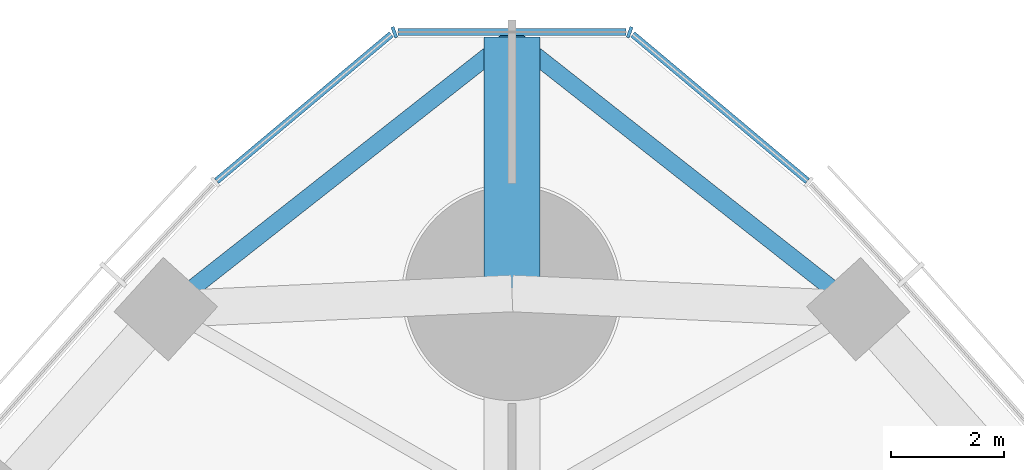
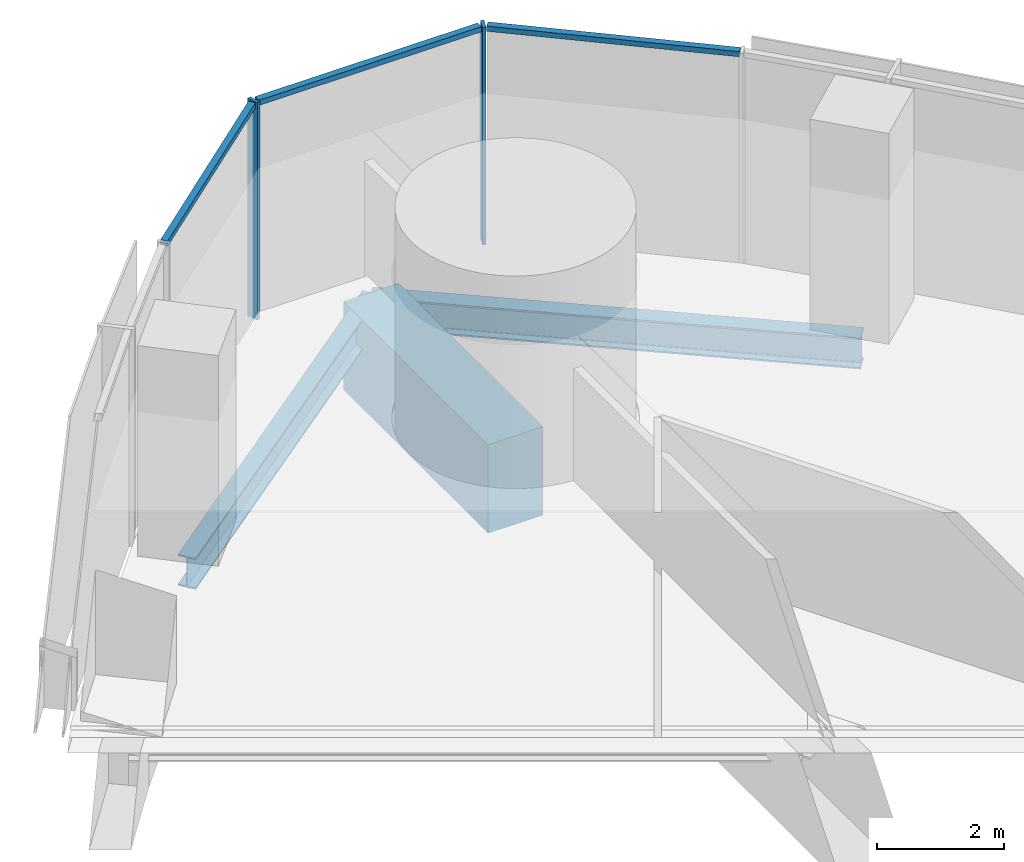
# One storey, part 9 of 19: 5 members, 3 beams, 1 element without a shape of its own.
"""IFC4 building model written with IfcOpenShell, lengths in metres."""

import ifcopenshell
import ifcopenshell.guid

model = None  # the IFC model being written
_history = None  # IfcOwnerHistory: only IFC2X3 demands one
_inside = {}  # id of a spatial element -> (the spatial element, [elements in it])
_under = {}  # id of a project, library or spatial element -> (it, [spatial elements below it])
_declared = {}  # id of a project -> (the project, [libraries it declares])
_typed = {}  # id of a type object -> (the type object, [elements of that type])
_made_of = {}  # id of a material, layer set ... -> (it, [elements and type objects made of it])


def new_model(schema):
    """Start an empty IFC model of exactly this schema.

    Asked for "IFC4X3", IfcOpenShell would pick the latest addendum, in which some entities
    have other attributes; the version numbers below select the first issue.
    IFC2X3 requires an IfcOwnerHistory on every rooted entity: one is made here for all.
    """
    global model, _history
    if schema == "IFC4X3":
        model = ifcopenshell.file(schema_version=(4, 3, 0, 0))
    else:
        model = ifcopenshell.file(schema=schema)
    _inside.clear()
    _under.clear()
    _declared.clear()
    _typed.clear()
    _made_of.clear()
    _history = None
    if model.schema == "IFC2X3":
        org = make("IfcOrganization", Name="unknown")
        user = make(
            "IfcPersonAndOrganization",
            ThePerson=make("IfcPerson", FamilyName="unknown"),
            TheOrganization=org,
        )
        app = make(
            "IfcApplication",
            ApplicationDeveloper=org,
            Version="unknown",
            ApplicationFullName="unknown",
            ApplicationIdentifier="unknown",
        )
        _history = make(
            "IfcOwnerHistory",
            OwningUser=user,
            OwningApplication=app,
            ChangeAction="ADDED",
            CreationDate=0,
        )
    return model


def make(cls, **values):
    """One entity of the class cls with the attributes given. An attribute that is None is left unset."""
    return model.create_entity(
        cls, **{name: value for name, value in values.items() if value is not None}
    )


def rooted(cls, **values):
    """An entity with a GlobalId (a new one), such as an element, a storey or a relation."""
    return make(cls, GlobalId=ifcopenshell.guid.new(), OwnerHistory=_history, **values)


def si_unit(unit_type, name, prefix=None):
    """IfcSIUnit, for example si_unit("LENGTHUNIT", "METRE", prefix="MILLI")."""
    return make("IfcSIUnit", UnitType=unit_type, Prefix=prefix, Name=name)


def assignment(units):
    """IfcUnitAssignment: the units of a project."""
    return None if units is None else make("IfcUnitAssignment", Units=units)


def point(xyz):
    """IfcCartesianPoint."""
    return None if xyz is None else make("IfcCartesianPoint", Coordinates=xyz)


def direction(xyz):
    """IfcDirection."""
    return None if xyz is None else make("IfcDirection", DirectionRatios=xyz)


def frame(location, z_axis=None, x_axis=None):
    """IfcAxis2Placement3D, a coordinate frame: its origin and axes. An axis left out is left unset."""
    return make(
        "IfcAxis2Placement3D",
        Location=point(location),
        Axis=direction(z_axis),
        RefDirection=direction(x_axis),
    )


def frame_2d(location, x_axis=None):
    """IfcAxis2Placement2D, a coordinate frame in the plane: its origin and x axis."""
    return make(
        "IfcAxis2Placement2D", Location=point(location), RefDirection=direction(x_axis)
    )


def origin():
    """The frame at (0, 0, 0) with its axes left unset."""
    return frame((0.0, 0.0, 0.0))


def origin_2d():
    """The frame at (0, 0) in the plane with its x axis left unset."""
    return frame_2d((0.0, 0.0))


def place(relative_to, where):
    """IfcLocalPlacement: puts the frame where relative to a parent placement (None: the world)."""
    return make(
        "IfcLocalPlacement", PlacementRelTo=relative_to, RelativePlacement=where
    )


def context(
    kind, dimensions, precision=None, world=None, true_north=None, identifier=None
):
    """IfcGeometricRepresentationContext, for example the 3D "Model" context."""
    return make(
        "IfcGeometricRepresentationContext",
        ContextIdentifier=identifier,
        ContextType=kind,
        CoordinateSpaceDimension=dimensions,
        Precision=precision,
        WorldCoordinateSystem=world,
        TrueNorth=true_north,
    )


def subcontext(parent, identifier, kind, view, scale=None):
    """IfcGeometricRepresentationSubContext, for example "Body" below "Model"."""
    return make(
        "IfcGeometricRepresentationSubContext",
        ContextIdentifier=identifier,
        ContextType=kind,
        ParentContext=parent,
        TargetScale=scale,
        TargetView=view,
    )


def project(units=None, contexts=None):
    """IfcProject with its units and contexts."""
    return rooted(
        "IfcProject",
        Name="project",
        RepresentationContexts=contexts,
        UnitsInContext=assignment(units),
    )


def spatial(cls, under=None, at=None, **own):
    """A site, building, storey or space (cls), placed at a placement, below another one or the project."""
    s = rooted(cls, ObjectPlacement=at, **own)
    if under is not None:
        _under.setdefault(under.id(), (under, []))[1].append(s)
    return s


def profile(cls, at=None, kind="AREA", **sizes):
    """A parametric profile (cls). Its sizes go by their IFC names, for example OverallWidth=200.0."""
    return make(cls, ProfileType=kind, Position=at, **sizes)


def rectangle(**sizes):
    """IfcRectangleProfileDef."""
    return profile("IfcRectangleProfileDef", **sizes)


def i_section(**sizes):
    """IfcIShapeProfileDef."""
    return profile("IfcIShapeProfileDef", **sizes)


def extrude(swept, where, along, depth):
    """IfcExtrudedAreaSolid: the profile swept, set in the frame where, extruded along a direction by depth."""
    return make(
        "IfcExtrudedAreaSolid",
        SweptArea=swept,
        Position=where,
        ExtrudedDirection=direction(along),
        Depth=depth,
    )


def shape(context_of_items, identifier, shape_type, items):
    """IfcShapeRepresentation: the items that make up one representation, for example the "Body"."""
    return make(
        "IfcShapeRepresentation",
        ContextOfItems=context_of_items,
        RepresentationIdentifier=identifier,
        RepresentationType=shape_type,
        Items=items,
    )


def material(Name=None, Category=None):
    """IfcMaterial."""
    return make("IfcMaterial", Name=Name, Category=Category)


def material_profile(
    of_material, cross_section, Name=None, Category=None, Priority=None
):
    """IfcMaterialProfile: a cross section and its material."""
    return make(
        "IfcMaterialProfile",
        Name=Name,
        Material=of_material,
        Profile=cross_section,
        Priority=Priority,
        Category=Category,
    )


def profile_set(profiles, Name=None, composite=None):
    """IfcMaterialProfileSet."""
    return make(
        "IfcMaterialProfileSet",
        Name=Name,
        MaterialProfiles=profiles,
        CompositeProfile=composite,
    )


def made_of(thing, what):
    """Note that an element or type object is made of a material, layer set ...; save() writes the relation."""
    if what is not None:
        _made_of.setdefault(what.id(), (what, []))[1].append(thing)
    return thing


def type_object(cls, material=None, **own):
    """A type object (cls), such as IfcWallType, which elements share."""
    return made_of(rooted(cls, **own), material)


def element(
    cls,
    number,
    at=None,
    inside=None,
    cuts=None,
    type_object=None,
    material=None,
    context=None,
    identifier="Body",
    shape_type=None,
    held_by="IfcProductDefinitionShape",
    body=None,
    shapes=None,
    **own,
):
    """One element of the class cls, such as IfcWall. Its Tag is "e" and its number.

    at: its placement. inside: the storey or other place that contains it. cuts: it is an
    opening in that element (IfcRelVoidsElement). A single representation is given by context,
    identifier, shape_type and body (its items); several are given by shapes. held_by: the class
    of the entity that holds the representations. save() writes the other relations.
    """
    e = rooted(cls, Tag="e%d" % number, ObjectPlacement=at, **own)
    if body is not None:
        shapes = [shape(context, identifier, shape_type, body)]
    if shapes is not None:
        e.Representation = make(held_by, Representations=shapes)
    if inside is not None:
        _inside.setdefault(inside.id(), (inside, []))[1].append(e)
    if cuts is not None:
        rooted(
            "IfcRelVoidsElement", RelatingBuildingElement=cuts, RelatedOpeningElement=e
        )
    if type_object is not None:
        _typed.setdefault(type_object.id(), (type_object, []))[1].append(e)
    return made_of(e, material)


def aggregate(whole, parts):
    """IfcRelAggregates: a whole, such as a stair, and the parts it consists of."""
    return rooted("IfcRelAggregates", RelatingObject=whole, RelatedObjects=parts)


def save(model, path):
    """Write the relations noted so far, then the file.

    IfcRelAggregates (storeys below a building ...), IfcRelContainedInSpatialStructure (elements
    in a storey), IfcRelDefinesByType, IfcRelAssociatesMaterial and IfcRelDeclares: one each for
    every whole, place, type object, material and project.
    """
    for whole, parts in _under.values():
        aggregate(whole, parts)
    for where, things in _inside.values():
        rooted(
            "IfcRelContainedInSpatialStructure",
            RelatedElements=things,
            RelatingStructure=where,
        )
    for kind, things in _typed.values():
        rooted("IfcRelDefinesByType", RelatedObjects=things, RelatingType=kind)
    for what, things in _made_of.values():
        rooted("IfcRelAssociatesMaterial", RelatedObjects=things, RelatingMaterial=what)
    for by, libraries in _declared.values():
        rooted("IfcRelDeclares", RelatingContext=by, RelatedDefinitions=libraries)
    model.write(path)


model = new_model("IFC4")

# Units and contexts
model_context = context("Model", 3, precision=1e-05, world=origin(), true_north=direction((0.0, 1.0)))
body_context = subcontext(model_context, "Body", "Model", "MODEL_VIEW")
ifc_project = project(units=[si_unit("LENGTHUNIT", "METRE"), si_unit("AREAUNIT", "SQUARE_METRE"), si_unit("VOLUMEUNIT", "CUBIC_METRE"), si_unit("PLANEANGLEUNIT", "RADIAN"), si_unit("MASSUNIT", "GRAM", prefix="KILO")], contexts=[model_context])

# Site, building, storey
site_placement = place(None, origin())
site = spatial("IfcSite", under=ifc_project, at=site_placement, CompositionType="ELEMENT")
building_placement = place(site_placement, origin())
building = spatial("IfcBuilding", under=site, at=building_placement, Name="Trefoil Bronze Tower", CompositionType="ELEMENT")
storey_placement = place(building_placement, frame((0.0, 0.0, 119.89990234375)))
storey = spatial("IfcBuildingStorey", under=building, at=storey_placement, Name="L27", CompositionType="ELEMENT", Elevation=119.89990234375)

# Curtain wall, members
ifc_material_1 = material(Name="Tinted solar-control glass", Category="glass")
curtain_wall_type = type_object("IfcCurtainWallType", Name="Bronze rounded corner curtain wall", PredefinedType="USERDEFINED", material=ifc_material_1)
curtain_wall_placement = place(storey_placement, origin())
curtain_wall = element("IfcCurtainWall", 1, at=curtain_wall_placement, inside=storey, type_object=curtain_wall_type, Name="CW-B L27 K2", ObjectType="CURTAIN WALL", PredefinedType="USERDEFINED")
ifc_material_2 = material(Name="Bronze-finish aluminium", Category="aluminium")
ifc_material_profile_1 = material_profile(ifc_material_2, rectangle(XDim=0.199951171875, YDim=0.06005859375, at=origin_2d()), Name="CW-B mullion")
ifc_profile_set_1 = profile_set([ifc_material_profile_1], Name="Bronze-finish aluminium")
member_type_1 = type_object("IfcMemberType", Name="Bronze rounded corner curtain wall mullion", PredefinedType="MULLION", material=ifc_profile_set_1)
member_1_placement = place(storey_placement, frame((2.08642578125, 39.631591796875, 0.0), z_axis=(0.0, 0.0, 1.0), x_axis=(-0.342020143326, -0.939692620786, 0.0)))
member_1 = element("IfcMember", 2, at=member_1_placement, type_object=member_type_1, Name="CW-B L27 K2 mullion 2", PredefinedType="MULLION", context=body_context, shape_type="SweptSolid", body=[
    extrude(rectangle(XDim=0.199951171875, YDim=0.06005859375, at=origin_2d()), origin(), (0.0, 0.0, 1.0), 4.18017578125),
])
member_2_placement = place(storey_placement, frame((-2.08642578125, 39.631591796875, 0.0), z_axis=(0.0, 0.0, 1.0), x_axis=(0.342020143326, -0.939692620786, 0.0)))
member_2 = element("IfcMember", 3, at=member_2_placement, type_object=member_type_1, Name="CW-B L27 K2 mullion 3", PredefinedType="MULLION", context=body_context, shape_type="SweptSolid", body=[
    extrude(rectangle(XDim=0.199951171875, YDim=0.06005859375, at=origin_2d()), origin(), (0.0, 0.0, 1.0), 4.18017578125),
])
ifc_material_3 = material(Name="Bronze-finish aluminium", Category="aluminium")
ifc_material_profile_2 = material_profile(ifc_material_3, rectangle(XDim=0.1201171875, YDim=0.10009765625, at=origin_2d()), Name="CW-B transom")
ifc_profile_set_2 = profile_set([ifc_material_profile_2], Name="Bronze-finish aluminium")
member_type_2 = type_object("IfcMemberType", Name="Bronze rounded corner curtain wall transom", PredefinedType="USERDEFINED", material=ifc_profile_set_2)
member_3_placement = place(storey_placement, frame((5.237548828125, 36.9951171875, 4.130126953125), z_axis=(-0.766049624684, 0.642781434487, 0.0), x_axis=(-0.642781434487, -0.766049624684, 0.0)))
member_3 = element("IfcMember", 4, at=member_3_placement, type_object=member_type_2, Name="CW-B L27 K2 transom 1", ObjectType="TRANSOM", PredefinedType="USERDEFINED", context=body_context, shape_type="SweptSolid", body=[
    extrude(rectangle(XDim=0.1201171875, YDim=0.10009765625, at=origin_2d()), origin(), (0.0, 0.0, 1.0), 4.04443359375),
])
member_4_placement = place(storey_placement, frame((2.022216796875, 39.637451171875, 4.130126953125), z_axis=(-1.0, 0.0, 0.0), x_axis=(0.0, -1.0, 0.0)))
member_4 = element("IfcMember", 5, at=member_4_placement, type_object=member_type_2, Name="CW-B L27 K2 transom 2", ObjectType="TRANSOM", PredefinedType="USERDEFINED", context=body_context, shape_type="SweptSolid", body=[
    extrude(rectangle(XDim=0.1201171875, YDim=0.10009765625, at=origin_2d()), origin(), (0.0, 0.0, 1.0), 4.04443359375),
])
member_5_placement = place(storey_placement, frame((-2.139404296875, 39.5947265625, 4.130126953125), z_axis=(-0.766049624684, -0.642781434487, 0.0), x_axis=(0.642781434487, -0.766049624684, 0.0)))
member_5 = element("IfcMember", 6, at=member_5_placement, type_object=member_type_2, Name="CW-B L27 K2 transom 3", ObjectType="TRANSOM", PredefinedType="USERDEFINED", context=body_context, shape_type="SweptSolid", body=[
    extrude(rectangle(XDim=0.1201171875, YDim=0.10009765625, at=origin_2d()), origin(), (0.0, 0.0, 1.0), 4.04443359375),
])
aggregate(curtain_wall, [member_1, member_2, member_3, member_4, member_5])

# Beams
ifc_material_4 = material(Name="Concrete B80", Category="concrete")
ifc_material_profile_3 = material_profile(ifc_material_4, rectangle(XDim=1.0, YDim=1.699951171875, at=origin_2d()), Name="RC 1000x1700")
ifc_profile_set_3 = profile_set([ifc_material_profile_3], Name="Concrete B80")
beam_type_1 = type_object("IfcBeamType", Name="Corner cantilever RC 1000x1700", PredefinedType="BEAM", material=ifc_profile_set_3)
beam_placement = place(storey_placement, frame((0.0, 35.0, -1.0498046875), z_axis=(0.0, 1.0, 0.0), x_axis=(-1.0, 0.0, 0.0)))
element("IfcBeam", 7, at=beam_placement, inside=storey, type_object=beam_type_1, Name="Corner cantilever K2 L27", PredefinedType="BEAM", context=body_context, shape_type="SweptSolid", body=[
    extrude(rectangle(XDim=1.0, YDim=1.699951171875, at=origin_2d()), origin(), (0.0, 0.0, 1.0), 4.54931640625),
])
ifc_material_5 = material(Name="Steel C355", Category="steel")
ifc_material_profile_4 = material_profile(ifc_material_5, i_section(OverallWidth=0.300048828125, OverallDepth=0.60009765625, WebThickness=0.015380859375, FlangeThickness=0.030029296875, FilletRadius=0.027099609375, at=origin_2d()), Name="HEB 600")
ifc_profile_set_4 = profile_set([ifc_material_profile_4], Name="Steel C355")
beam_type_2 = type_object("IfcBeamType", Name="Corner edge beam HEB 600", PredefinedType="BEAM", material=ifc_profile_set_4)
for number, where, z_axis, x_axis, name in (
    (8, (6.13916015625, 34.72119140625, -0.5), (-0.786038406433, 0.61817766347, 0.0), (-0.61817766347, -0.786038406433, 0.0), "Corner edge beam F2A L27"),
    (9, (-6.13916015625, 34.72119140625, -0.5), (0.786038406433, 0.61817766347, 0.0), (-0.61817766347, 0.786038406433, 0.0), "Corner edge beam F3B L27"),
):
    element("IfcBeam", number, at=place(storey_placement, frame(where, z_axis=z_axis, x_axis=x_axis)), inside=storey, type_object=beam_type_2, Name=name, PredefinedType="BEAM", context=body_context, shape_type="SweptSolid", body=[
        extrude(i_section(OverallWidth=0.300048828125, OverallDepth=0.60009765625, WebThickness=0.015380859375, FlangeThickness=0.030029296875, FilletRadius=0.027099609375, at=origin_2d()), origin(), (0.0, 0.0, 1.0), 7.810302734375),
    ])

save(model, "model.ifc")
